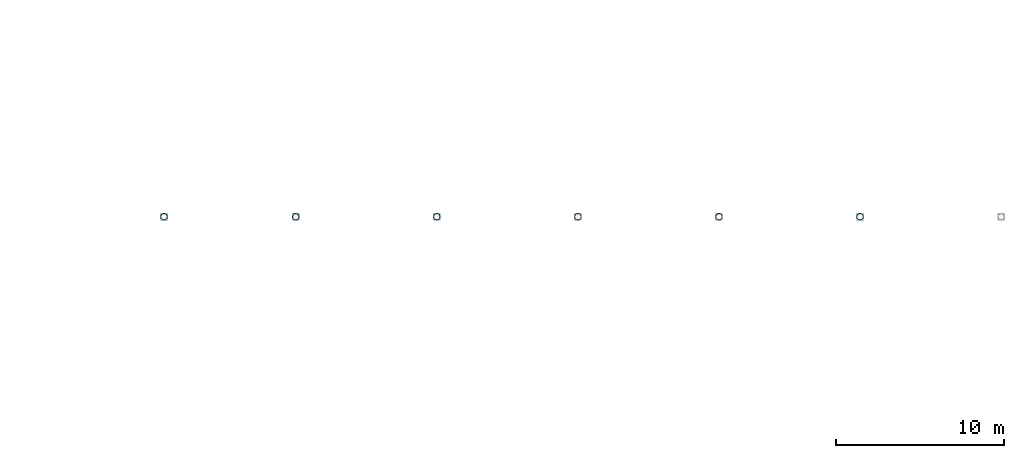
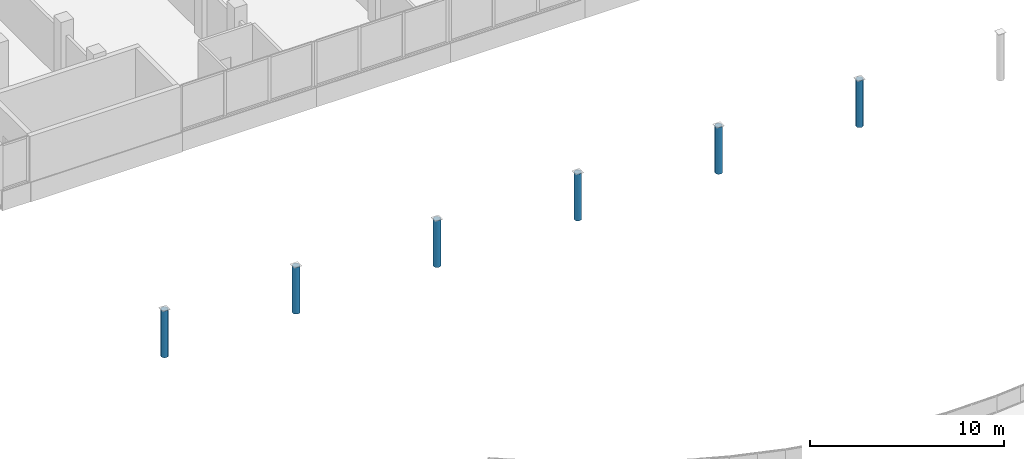
# One storey, part 1 of 101: 6 columns.
"""IFC4 building model written with IfcOpenShell, lengths in metres."""

from ifc_helpers import new_model, si_unit, direction, frame, origin, origin_2d, place, context, subcontext, project, spatial, hollow_circle, extrude, material, material_profile, profile_set, type_object, element, save


model = new_model("IFC4")

# Units and contexts
model_context = context("Model", 3, precision=1e-05, world=origin(), true_north=direction((0.0, 1.0)))
body_context = subcontext(model_context, "Body", "Model", "MODEL_VIEW")
ifc_project = project(units=[si_unit("LENGTHUNIT", "METRE"), si_unit("AREAUNIT", "SQUARE_METRE"), si_unit("VOLUMEUNIT", "CUBIC_METRE"), si_unit("PLANEANGLEUNIT", "RADIAN"), si_unit("MASSUNIT", "GRAM", prefix="KILO")], contexts=[model_context])

# Site, building, storey
site_placement = place(None, origin())
site = spatial("IfcSite", under=ifc_project, at=site_placement, CompositionType="ELEMENT")
building_placement = place(site_placement, origin())
building = spatial("IfcBuilding", under=site, at=building_placement, Name="Selatvlak General Hospital", CompositionType="ELEMENT")
storey_placement = place(building_placement, frame((0.0, 0.0, 19.199951171875)))
storey = spatial("IfcBuildingStorey", under=building, at=storey_placement, Name="L04", CompositionType="ELEMENT", Elevation=19.199951171875)

# Columns
ifc_material = material(Name="Steel S355", Category="steel")
ifc_material_profile = material_profile(ifc_material, hollow_circle(Radius=0.203125, WallThickness=0.01611328125, at=origin_2d()), Name="CHS 406.4x16")
ifc_profile_set = profile_set([ifc_material_profile], Name="Steel S355")
column_type = type_object("IfcColumnType", Name="COL-CHS406", PredefinedType="COLUMN", material=ifc_profile_set)
for number, where, z_axis, x_axis, name in (
    (1, (23.35009765625, 68.0, 0.0), (0.0, 0.0, 1.0), (1.0, 0.0, 0.0), "Column 002 on L04"),
    (2, (31.199951171875, 68.0, 0.0), (0.0, 0.0, 1.0), (1.0, 0.0, 0.0), "Column 005 on L04"),
    (3, (39.60009765625, 68.0, 0.0), (0.0, 0.0, 1.0), (1.0, 0.0, 0.0), "Column 008 on L04"),
    (4, (48.0, 68.0, 0.0), (0.0, 0.0, 1.0), (1.0, 0.0, 0.0), "Column 011 on L04"),
    (5, (56.39990234375, 68.0, 0.0), (0.0, 0.0, 1.0), (1.0, 0.0, 0.0), "Column 014 on L04"),
    (6, (64.800048828125, 68.0, 0.0), (0.0, 0.0, 1.0), (1.0, 0.0, 0.0), "Column 017 on L04"),
):
    element("IfcColumn", number, at=place(storey_placement, frame(where, z_axis=z_axis, x_axis=x_axis)), inside=storey, type_object=column_type, Name=name, PredefinedType="COLUMN", context=body_context, shape_type="SweptSolid", body=[
        extrude(hollow_circle(Radius=0.203125, WallThickness=0.01611328125, at=origin_2d()), origin(), (0.0, 0.0, 1.0), 2.955078125),
    ])

save(model, "model.ifc")
